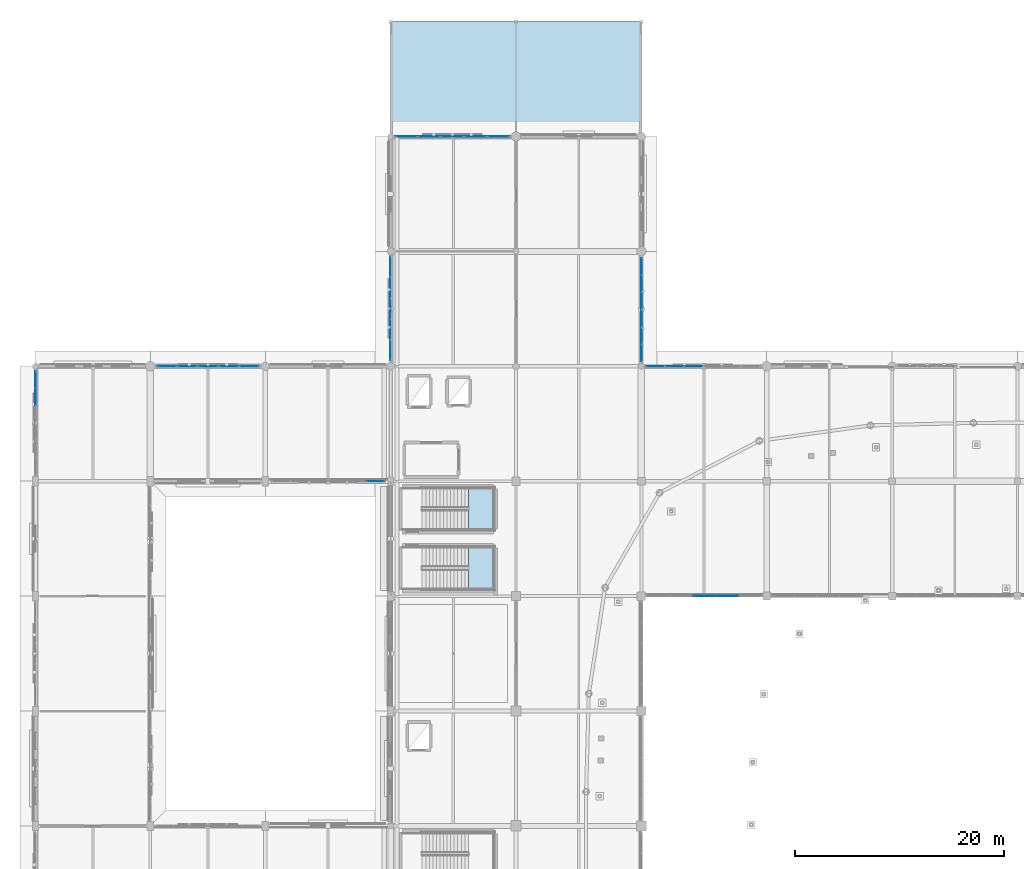
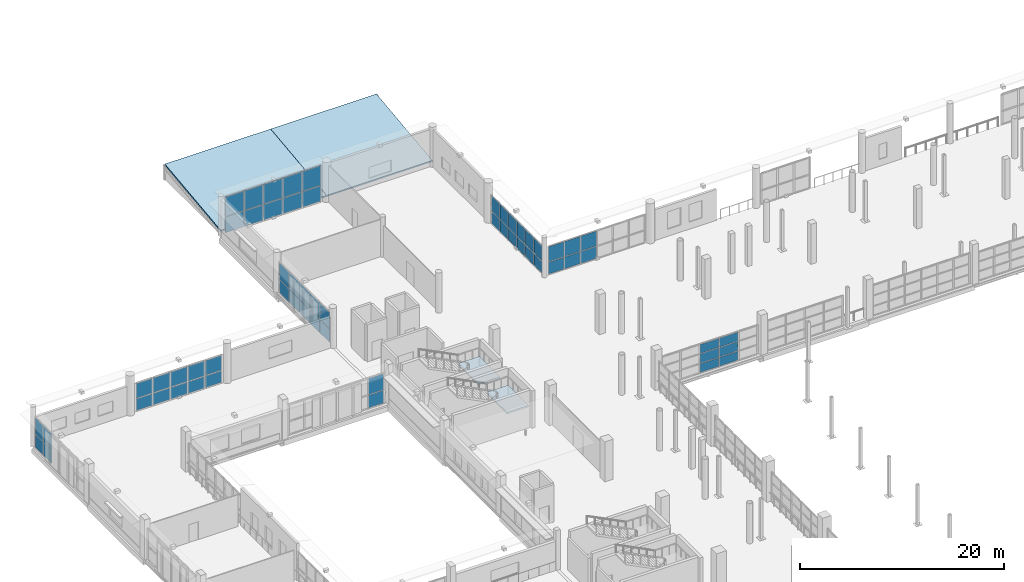
# One storey, part 78 of 143: 60 plates, 4 slabs, 10 elements without a shape of their own.
"""IFC4 building model written with IfcOpenShell, lengths in metres."""

from ifc_helpers import new_model, si_unit, direction, frame, origin, origin_2d, place, context, subcontext, project, spatial, polyline, rectangle, outline, extrude, material, layer, layer_set, type_object, element, aggregate, save


model = new_model("IFC4")

# Units and contexts
model_context = context("Model", 3, precision=1e-05, world=origin(), true_north=direction((0.0, 1.0)))
body_context = subcontext(model_context, "Body", "Model", "MODEL_VIEW")
ifc_project = project(units=[si_unit("LENGTHUNIT", "METRE"), si_unit("AREAUNIT", "SQUARE_METRE"), si_unit("VOLUMEUNIT", "CUBIC_METRE"), si_unit("PLANEANGLEUNIT", "RADIAN"), si_unit("MASSUNIT", "GRAM", prefix="KILO")], contexts=[model_context])

# Site, building, storey
site_placement = place(None, origin())
site = spatial("IfcSite", under=ifc_project, at=site_placement, CompositionType="ELEMENT")
building_placement = place(site_placement, origin())
building = spatial("IfcBuilding", under=site, at=building_placement, Name="Luwafu Chhajja Arena", CompositionType="ELEMENT")
storey_placement = place(building_placement, frame((0.0, 0.0, 5.39990234375)))
storey = spatial("IfcBuildingStorey", under=building, at=storey_placement, Name="L01", CompositionType="ELEMENT", Elevation=5.39990234375)

# Curtain wall, plates
ifc_material_1 = material(Name="Anodised bronze aluminium", Category="aluminium")
curtain_wall_type_1 = type_object("IfcCurtainWallType", Name="VIP Club Terrace Curtain Wall", PredefinedType="USERDEFINED", material=ifc_material_1)
curtain_wall_1_placement = place(storey_placement, origin())
curtain_wall_1 = element("IfcCurtainWall", 1, at=curtain_wall_1_placement, inside=storey, type_object=curtain_wall_type_1, Name="L01 Curtain Wall CWG-L01-V03_09", ObjectType="CURTAIN WALL", PredefinedType="USERDEFINED")
ifc_material_2 = material(Name="Solar-control laminated glass", Category="glass")
ifc_layer_1 = layer(ifc_material_2, 0.035888671875, Name="Solar-control laminated glass")
ifc_layer_set_1 = layer_set([ifc_layer_1], Name="Solar-control laminated glass")
plate_type_1 = type_object("IfcPlateType", Name="Acoustic Broadcast Double Glazed CW Panel 36", PredefinedType="CURTAIN_PANEL", material=ifc_layer_set_1)
plate_1_placement = place(storey_placement, frame((34.0, 100.533203125, 0.09521484375), z_axis=(0.0, 0.0, 1.0), x_axis=(0.0, 1.0, 0.0)))
plate_1 = element("IfcPlate", 2, at=plate_1_placement, type_object=plate_type_1, Name="CW-10 panel 1.1", PredefinedType="CURTAIN_PANEL", context=body_context, shape_type="SweptSolid", body=[
    extrude(rectangle(XDim=1.906494140625, YDim=0.035888671875, at=origin_2d()), origin(), (0.0, 0.0, 1.0), 1.56884765625),
])
plate_2_placement = place(storey_placement, frame((34.0, 100.533203125, 1.72900390625), z_axis=(0.0, 0.0, 1.0), x_axis=(0.0, 1.0, 0.0)))
plate_2 = element("IfcPlate", 3, at=plate_2_placement, type_object=plate_type_1, Name="CW-10 panel 1.2", PredefinedType="CURTAIN_PANEL", context=body_context, shape_type="SweptSolid", body=[
    extrude(rectangle(XDim=1.906494140625, YDim=0.035888671875, at=origin_2d()), origin(), (0.0, 0.0, 1.0), 1.975830078125),
])
plate_3_placement = place(storey_placement, frame((34.0, 102.52099609375, 0.09521484375), z_axis=(0.0, 0.0, 1.0), x_axis=(0.0, 1.0, 0.0)))
plate_3 = element("IfcPlate", 4, at=plate_3_placement, type_object=plate_type_1, Name="CW-10 panel 2.1", PredefinedType="CURTAIN_PANEL", context=body_context, shape_type="SweptSolid", body=[
    extrude(rectangle(XDim=1.93896484375, YDim=0.035888671875, at=origin_2d()), origin(), (0.0, 0.0, 1.0), 1.56884765625),
])
plate_4_placement = place(storey_placement, frame((34.0, 102.52099609375, 1.72900390625), z_axis=(0.0, 0.0, 1.0), x_axis=(0.0, 1.0, 0.0)))
plate_4 = element("IfcPlate", 5, at=plate_4_placement, type_object=plate_type_1, Name="CW-10 panel 2.2", PredefinedType="CURTAIN_PANEL", context=body_context, shape_type="SweptSolid", body=[
    extrude(rectangle(XDim=1.93896484375, YDim=0.035888671875, at=origin_2d()), origin(), (0.0, 0.0, 1.0), 1.975830078125),
])
plate_5_placement = place(storey_placement, frame((34.0, 104.52490234375, 0.09521484375), z_axis=(0.0, 0.0, 1.0), x_axis=(0.0, 1.0, 0.0)))
plate_5 = element("IfcPlate", 6, at=plate_5_placement, type_object=plate_type_1, Name="CW-10 panel 3.1", PredefinedType="CURTAIN_PANEL", context=body_context, shape_type="SweptSolid", body=[
    extrude(rectangle(XDim=1.93896484375, YDim=0.035888671875, at=origin_2d()), origin(), (0.0, 0.0, 1.0), 1.56884765625),
])
plate_6_placement = place(storey_placement, frame((34.0, 104.52490234375, 1.72900390625), z_axis=(0.0, 0.0, 1.0), x_axis=(0.0, 1.0, 0.0)))
plate_6 = element("IfcPlate", 7, at=plate_6_placement, type_object=plate_type_1, Name="CW-10 panel 3.2", PredefinedType="CURTAIN_PANEL", context=body_context, shape_type="SweptSolid", body=[
    extrude(rectangle(XDim=1.93896484375, YDim=0.035888671875, at=origin_2d()), origin(), (0.0, 0.0, 1.0), 1.975830078125),
])
plate_7_placement = place(storey_placement, frame((34.0, 106.529052734375, 0.09521484375), z_axis=(0.0, 0.0, 1.0), x_axis=(0.0, 1.0, 0.0)))
plate_7 = element("IfcPlate", 8, at=plate_7_placement, type_object=plate_type_1, Name="CW-10 panel 4.1", PredefinedType="CURTAIN_PANEL", context=body_context, shape_type="SweptSolid", body=[
    extrude(rectangle(XDim=1.93896484375, YDim=0.035888671875, at=origin_2d()), origin(), (0.0, 0.0, 1.0), 1.56884765625),
])
plate_8_placement = place(storey_placement, frame((34.0, 106.529052734375, 1.72900390625), z_axis=(0.0, 0.0, 1.0), x_axis=(0.0, 1.0, 0.0)))
plate_8 = element("IfcPlate", 9, at=plate_8_placement, type_object=plate_type_1, Name="CW-10 panel 4.2", PredefinedType="CURTAIN_PANEL", context=body_context, shape_type="SweptSolid", body=[
    extrude(rectangle(XDim=1.93896484375, YDim=0.035888671875, at=origin_2d()), origin(), (0.0, 0.0, 1.0), 1.975830078125),
])
plate_9_placement = place(storey_placement, frame((34.0, 108.516845703125, 0.09521484375), z_axis=(0.0, 0.0, 1.0), x_axis=(0.0, 1.0, 0.0)))
plate_9 = element("IfcPlate", 10, at=plate_9_placement, type_object=plate_type_1, Name="CW-10 panel 5.1", PredefinedType="CURTAIN_PANEL", context=body_context, shape_type="SweptSolid", body=[
    extrude(rectangle(XDim=1.906494140625, YDim=0.035888671875, at=origin_2d()), origin(), (0.0, 0.0, 1.0), 1.56884765625),
])
plate_10_placement = place(storey_placement, frame((34.0, 108.516845703125, 1.72900390625), z_axis=(0.0, 0.0, 1.0), x_axis=(0.0, 1.0, 0.0)))
plate_10 = element("IfcPlate", 11, at=plate_10_placement, type_object=plate_type_1, Name="CW-10 panel 5.2", PredefinedType="CURTAIN_PANEL", context=body_context, shape_type="SweptSolid", body=[
    extrude(rectangle(XDim=1.906494140625, YDim=0.035888671875, at=origin_2d()), origin(), (0.0, 0.0, 1.0), 1.975830078125),
])
aggregate(curtain_wall_1, [plate_1, plate_2, plate_3, plate_4, plate_5, plate_6, plate_7, plate_8, plate_9, plate_10])

# Slabs
ifc_material_3 = material(Name="Precast concrete C40/50", Category="concrete")
ifc_layer_2 = layer(ifc_material_3, 0.169921875, Name="Precast concrete C40/50")
ifc_layer_set_2 = layer_set([ifc_layer_2], Name="Precast concrete C40/50")
slab_type_1 = type_object("IfcSlabType", Name="Colonnade Sloped Chhajja Roof Slab 170", PredefinedType="ROOF", material=ifc_layer_set_2)
for number, where, z_axis, x_axis, name in (
    (12, (34.0, 121.0, 0.550048828125), (0.0, -0.11736939237, 0.993088327257), (0.0, 0.993088327257, 0.11736939237), "L01 North Cloister Sloped Chhajja Roof 3"),
    (13, (46.0, 121.0, 0.550048828125), (0.0, -0.11736939237, 0.993088327257), (0.0, 0.993088327257, 0.11736939237), "L01 North Cloister Sloped Chhajja Roof 4"),
):
    element("IfcSlab", number, at=place(storey_placement, frame(where, z_axis=z_axis, x_axis=x_axis)), inside=storey, type_object=slab_type_1, Name=name, PredefinedType="ROOF", context=body_context, shape_type="SweptSolid", body=[
        extrude(outline(polyline([(0.0, 0.0), (11.076557540838634, 0.0), (11.076557540838634, -12.0), (0.0, -12.0), (0.0, 0.0)])), origin(), (0.0, 0.0, -1.0), 0.169921875),
    ])

# Stair, slab
ifc_material_4 = material(Name="Concrete C35/45", Category="concrete")
stair_type = type_object("IfcStairType", Name="Quadrant Protected Dog-Leg Stair 1920", PredefinedType="HALF_TURN_STAIR", material=ifc_material_4)
stair_1_placement = place(storey_placement, origin())
stair_1 = element("IfcStair", 14, at=stair_1_placement, inside=storey, type_object=stair_type, Name="L01 Protected Escape Stair ST-05", PredefinedType="HALF_TURN_STAIR")
ifc_layer_3 = layer(ifc_material_4, 0.199951171875, Name="Concrete C35/45")
ifc_layer_set_3 = layer_set([ifc_layer_3], Name="Concrete C35/45")
slab_type_2 = type_object("IfcSlabType", Name="Escape Stair Landing Slab 200", PredefinedType="LANDING", material=ifc_layer_set_3)
slab_1_placement = place(storey_placement, frame((0.0, 0.0, 2.2001953125)))
slab_1 = element("IfcSlab", 15, at=slab_1_placement, type_object=slab_type_2, Name="ST-05 landing 1", PredefinedType="LANDING", context=body_context, shape_type="SweptSolid", body=[
    extrude(outline(polyline([(41.43994140625, 77.64990234375), (43.89990234375, 77.64990234375), (43.89990234375, 81.68994140625), (41.43994140625, 81.68994140625), (41.43994140625, 77.64990234375)])), origin(), (0.0, 0.0, 1.0), 0.199951171875),
])
aggregate(stair_1, [slab_1])

stair_2_placement = place(storey_placement, origin())
stair_2 = element("IfcStair", 16, at=stair_2_placement, inside=storey, type_object=stair_type, Name="L01 Protected Escape Stair ST-06", PredefinedType="HALF_TURN_STAIR")
slab_2_placement = place(storey_placement, frame((0.0, 0.0, 2.2001953125)))
slab_2 = element("IfcSlab", 17, at=slab_2_placement, type_object=slab_type_2, Name="ST-06 landing 1", PredefinedType="LANDING", context=body_context, shape_type="SweptSolid", body=[
    extrude(outline(polyline([(41.43994140625, 83.31005859375), (43.89990234375, 83.31005859375), (43.89990234375, 87.35009765625), (41.43994140625, 87.35009765625), (41.43994140625, 83.31005859375)])), origin(), (0.0, 0.0, 1.0), 0.199951171875),
])
aggregate(stair_2, [slab_2])

# Curtain wall, plates
curtain_wall_type_2 = type_object("IfcCurtainWallType", Name="Pishtaq Monumental Portal Curtain Wall", PredefinedType="USERDEFINED", material=ifc_material_1)
curtain_wall_2_placement = place(storey_placement, origin())
curtain_wall_2 = element("IfcCurtainWall", 18, at=curtain_wall_2_placement, inside=storey, type_object=curtain_wall_type_2, Name="L01 Curtain Wall CWG-L01-H01_09", ObjectType="CURTAIN WALL", PredefinedType="USERDEFINED")
ifc_layer_4 = layer(ifc_material_2, 0.0419921875, Name="Solar-control laminated glass")
ifc_layer_set_4 = layer_set([ifc_layer_4], Name="Solar-control laminated glass")
plate_type_2 = type_object("IfcPlateType", Name="Pishtaq Tall Laminated Glazed Panel 42", PredefinedType="CURTAIN_PANEL", material=ifc_layer_set_4)
plate_11_placement = place(storey_placement, frame((12.596923828125, 99.0, 0.110107421875), z_axis=(0.0, 0.0, 1.0), x_axis=(1.0, 0.0, 0.0)))
plate_11 = element("IfcPlate", 19, at=plate_11_placement, type_object=plate_type_2, Name="CW-04 panel 1.1", PredefinedType="CURTAIN_PANEL", context=body_context, shape_type="SweptSolid", body=[
    extrude(rectangle(XDim=1.85400390625, YDim=0.0419921875, at=origin_2d()), origin(), (0.0, 0.0, 1.0), 1.39794921875),
])
plate_12_placement = place(storey_placement, frame((12.596923828125, 99.0, 1.588134765625), z_axis=(0.0, 0.0, 1.0), x_axis=(1.0, 0.0, 0.0)))
plate_12 = element("IfcPlate", 20, at=plate_12_placement, type_object=plate_type_2, Name="CW-04 panel 1.2", PredefinedType="CURTAIN_PANEL", context=body_context, shape_type="SweptSolid", body=[
    extrude(rectangle(XDim=1.85400390625, YDim=0.0419921875, at=origin_2d()), origin(), (0.0, 0.0, 1.0), 1.77197265625),
])
plate_13_placement = place(storey_placement, frame((14.551025390625, 99.0, 0.110107421875), z_axis=(0.0, 0.0, 1.0), x_axis=(1.0, 0.0, 0.0)))
plate_13 = element("IfcPlate", 21, at=plate_13_placement, type_object=plate_type_2, Name="CW-04 panel 2.1", PredefinedType="CURTAIN_PANEL", context=body_context, shape_type="SweptSolid", body=[
    extrude(rectangle(XDim=1.89404296875, YDim=0.0419921875, at=origin_2d()), origin(), (0.0, 0.0, 1.0), 1.39794921875),
])
plate_14_placement = place(storey_placement, frame((14.551025390625, 99.0, 1.588134765625), z_axis=(0.0, 0.0, 1.0), x_axis=(1.0, 0.0, 0.0)))
plate_14 = element("IfcPlate", 22, at=plate_14_placement, type_object=plate_type_2, Name="CW-04 panel 2.2", PredefinedType="CURTAIN_PANEL", context=body_context, shape_type="SweptSolid", body=[
    extrude(rectangle(XDim=1.89404296875, YDim=0.0419921875, at=origin_2d()), origin(), (0.0, 0.0, 1.0), 1.77197265625),
])
plate_15_placement = place(storey_placement, frame((16.52490234375, 99.0, 0.110107421875), z_axis=(0.0, 0.0, 1.0), x_axis=(1.0, 0.0, 0.0)))
plate_15 = element("IfcPlate", 23, at=plate_15_placement, type_object=plate_type_2, Name="CW-04 panel 3.1", PredefinedType="CURTAIN_PANEL", context=body_context, shape_type="SweptSolid", body=[
    extrude(rectangle(XDim=1.89404296875, YDim=0.0419921875, at=origin_2d()), origin(), (0.0, 0.0, 1.0), 1.39794921875),
])
plate_16_placement = place(storey_placement, frame((16.52490234375, 99.0, 1.588134765625), z_axis=(0.0, 0.0, 1.0), x_axis=(1.0, 0.0, 0.0)))
plate_16 = element("IfcPlate", 24, at=plate_16_placement, type_object=plate_type_2, Name="CW-04 panel 3.2", PredefinedType="CURTAIN_PANEL", context=body_context, shape_type="SweptSolid", body=[
    extrude(rectangle(XDim=1.89404296875, YDim=0.0419921875, at=origin_2d()), origin(), (0.0, 0.0, 1.0), 1.77197265625),
])
plate_17_placement = place(storey_placement, frame((18.4990234375, 99.0, 0.110107421875), z_axis=(0.0, 0.0, 1.0), x_axis=(1.0, 0.0, 0.0)))
plate_17 = element("IfcPlate", 25, at=plate_17_placement, type_object=plate_type_2, Name="CW-04 panel 4.1", PredefinedType="CURTAIN_PANEL", context=body_context, shape_type="SweptSolid", body=[
    extrude(rectangle(XDim=1.89404296875, YDim=0.0419921875, at=origin_2d()), origin(), (0.0, 0.0, 1.0), 1.39794921875),
])
plate_18_placement = place(storey_placement, frame((18.4990234375, 99.0, 1.588134765625), z_axis=(0.0, 0.0, 1.0), x_axis=(1.0, 0.0, 0.0)))
plate_18 = element("IfcPlate", 26, at=plate_18_placement, type_object=plate_type_2, Name="CW-04 panel 4.2", PredefinedType="CURTAIN_PANEL", context=body_context, shape_type="SweptSolid", body=[
    extrude(rectangle(XDim=1.89404296875, YDim=0.0419921875, at=origin_2d()), origin(), (0.0, 0.0, 1.0), 1.77197265625),
])
plate_19_placement = place(storey_placement, frame((20.452880859375, 99.0, 0.110107421875), z_axis=(0.0, 0.0, 1.0), x_axis=(1.0, 0.0, 0.0)))
plate_19 = element("IfcPlate", 27, at=plate_19_placement, type_object=plate_type_2, Name="CW-04 panel 5.1", PredefinedType="CURTAIN_PANEL", context=body_context, shape_type="SweptSolid", body=[
    extrude(rectangle(XDim=1.85400390625, YDim=0.0419921875, at=origin_2d()), origin(), (0.0, 0.0, 1.0), 1.39794921875),
])
plate_20_placement = place(storey_placement, frame((20.452880859375, 99.0, 1.588134765625), z_axis=(0.0, 0.0, 1.0), x_axis=(1.0, 0.0, 0.0)))
plate_20 = element("IfcPlate", 28, at=plate_20_placement, type_object=plate_type_2, Name="CW-04 panel 5.2", PredefinedType="CURTAIN_PANEL", context=body_context, shape_type="SweptSolid", body=[
    extrude(rectangle(XDim=1.85400390625, YDim=0.0419921875, at=origin_2d()), origin(), (0.0, 0.0, 1.0), 1.77197265625),
])
aggregate(curtain_wall_2, [plate_11, plate_12, plate_13, plate_14, plate_15, plate_16, plate_17, plate_18, plate_19, plate_20])

curtain_wall_3_placement = place(storey_placement, origin())
curtain_wall_3 = element("IfcCurtainWall", 29, at=curtain_wall_3_placement, inside=storey, type_object=curtain_wall_type_2, Name="L01 Curtain Wall CWG-L01-H03_11", ObjectType="CURTAIN WALL", PredefinedType="USERDEFINED")
plate_21_placement = place(storey_placement, frame((35.534423828125, 121.0, 0.110107421875), z_axis=(0.0, 0.0, 1.0), x_axis=(1.0, 0.0, 0.0)))
plate_21 = element("IfcPlate", 30, at=plate_21_placement, type_object=plate_type_2, Name="CW-04 panel 1.1", PredefinedType="CURTAIN_PANEL", context=body_context, shape_type="SweptSolid", body=[
    extrude(rectangle(XDim=2.0791015625, YDim=0.0419921875, at=origin_2d()), origin(), (0.0, 0.0, 1.0), 1.859375),
])
plate_22_placement = place(storey_placement, frame((35.534423828125, 121.0, 2.04931640625), z_axis=(0.0, 0.0, 1.0), x_axis=(1.0, 0.0, 0.0)))
plate_22 = element("IfcPlate", 31, at=plate_22_placement, type_object=plate_type_2, Name="CW-04 panel 1.2", PredefinedType="CURTAIN_PANEL", context=body_context, shape_type="SweptSolid", body=[
    extrude(rectangle(XDim=2.0791015625, YDim=0.0419921875, at=origin_2d()), origin(), (0.0, 0.0, 1.0), 2.335693359375),
])
plate_23_placement = place(storey_placement, frame((37.71337890625, 121.0, 0.110107421875), z_axis=(0.0, 0.0, 1.0), x_axis=(1.0, 0.0, 0.0)))
plate_23 = element("IfcPlate", 32, at=plate_23_placement, type_object=plate_type_2, Name="CW-04 panel 2.1", PredefinedType="CURTAIN_PANEL", context=body_context, shape_type="SweptSolid", body=[
    extrude(rectangle(XDim=2.118896484375, YDim=0.0419921875, at=origin_2d()), origin(), (0.0, 0.0, 1.0), 1.859375),
])
plate_24_placement = place(storey_placement, frame((37.71337890625, 121.0, 2.04931640625), z_axis=(0.0, 0.0, 1.0), x_axis=(1.0, 0.0, 0.0)))
plate_24 = element("IfcPlate", 33, at=plate_24_placement, type_object=plate_type_2, Name="CW-04 panel 2.2", PredefinedType="CURTAIN_PANEL", context=body_context, shape_type="SweptSolid", body=[
    extrude(rectangle(XDim=2.118896484375, YDim=0.0419921875, at=origin_2d()), origin(), (0.0, 0.0, 1.0), 2.335693359375),
])
plate_25_placement = place(storey_placement, frame((39.91259765625, 121.0, 0.110107421875), z_axis=(0.0, 0.0, 1.0), x_axis=(1.0, 0.0, 0.0)))
plate_25 = element("IfcPlate", 34, at=plate_25_placement, type_object=plate_type_2, Name="CW-04 panel 3.1", PredefinedType="CURTAIN_PANEL", context=body_context, shape_type="SweptSolid", body=[
    extrude(rectangle(XDim=2.118896484375, YDim=0.0419921875, at=origin_2d()), origin(), (0.0, 0.0, 1.0), 1.859375),
])
plate_26_placement = place(storey_placement, frame((39.91259765625, 121.0, 2.04931640625), z_axis=(0.0, 0.0, 1.0), x_axis=(1.0, 0.0, 0.0)))
plate_26 = element("IfcPlate", 35, at=plate_26_placement, type_object=plate_type_2, Name="CW-04 panel 3.2", PredefinedType="CURTAIN_PANEL", context=body_context, shape_type="SweptSolid", body=[
    extrude(rectangle(XDim=2.118896484375, YDim=0.0419921875, at=origin_2d()), origin(), (0.0, 0.0, 1.0), 2.335693359375),
])
plate_27_placement = place(storey_placement, frame((42.111572265625, 121.0, 0.110107421875), z_axis=(0.0, 0.0, 1.0), x_axis=(1.0, 0.0, 0.0)))
plate_27 = element("IfcPlate", 36, at=plate_27_placement, type_object=plate_type_2, Name="CW-04 panel 4.1", PredefinedType="CURTAIN_PANEL", context=body_context, shape_type="SweptSolid", body=[
    extrude(rectangle(XDim=2.118896484375, YDim=0.0419921875, at=origin_2d()), origin(), (0.0, 0.0, 1.0), 1.859375),
])
plate_28_placement = place(storey_placement, frame((42.111572265625, 121.0, 2.04931640625), z_axis=(0.0, 0.0, 1.0), x_axis=(1.0, 0.0, 0.0)))
plate_28 = element("IfcPlate", 37, at=plate_28_placement, type_object=plate_type_2, Name="CW-04 panel 4.2", PredefinedType="CURTAIN_PANEL", context=body_context, shape_type="SweptSolid", body=[
    extrude(rectangle(XDim=2.118896484375, YDim=0.0419921875, at=origin_2d()), origin(), (0.0, 0.0, 1.0), 2.335693359375),
])
plate_29_placement = place(storey_placement, frame((44.29052734375, 121.0, 0.110107421875), z_axis=(0.0, 0.0, 1.0), x_axis=(1.0, 0.0, 0.0)))
plate_29 = element("IfcPlate", 38, at=plate_29_placement, type_object=plate_type_2, Name="CW-04 panel 5.1", PredefinedType="CURTAIN_PANEL", context=body_context, shape_type="SweptSolid", body=[
    extrude(rectangle(XDim=2.0791015625, YDim=0.0419921875, at=origin_2d()), origin(), (0.0, 0.0, 1.0), 1.859375),
])
plate_30_placement = place(storey_placement, frame((44.29052734375, 121.0, 2.04931640625), z_axis=(0.0, 0.0, 1.0), x_axis=(1.0, 0.0, 0.0)))
plate_30 = element("IfcPlate", 39, at=plate_30_placement, type_object=plate_type_2, Name="CW-04 panel 5.2", PredefinedType="CURTAIN_PANEL", context=body_context, shape_type="SweptSolid", body=[
    extrude(rectangle(XDim=2.0791015625, YDim=0.0419921875, at=origin_2d()), origin(), (0.0, 0.0, 1.0), 2.335693359375),
])
aggregate(curtain_wall_3, [plate_21, plate_22, plate_23, plate_24, plate_25, plate_26, plate_27, plate_28, plate_29, plate_30])

curtain_wall_type_3 = type_object("IfcCurtainWallType", Name="Community Hall Street Curtain Wall", PredefinedType="USERDEFINED", material=ifc_material_1)
curtain_wall_4_placement = place(storey_placement, origin())
curtain_wall_4 = element("IfcCurtainWall", 40, at=curtain_wall_4_placement, inside=storey, type_object=curtain_wall_type_3, Name="L01 Curtain Wall CWG-L01-V00_08", ObjectType="CURTAIN WALL", PredefinedType="USERDEFINED")
ifc_layer_5 = layer(ifc_material_2, 0.028076171875, Name="Solar-control laminated glass")
ifc_layer_set_5 = layer_set([ifc_layer_5], Name="Solar-control laminated glass")
plate_type_3 = type_object("IfcPlateType", Name="Solar Control Double Glazed CW Panel 28", PredefinedType="CURTAIN_PANEL", material=ifc_layer_set_5)
plate_31_placement = place(storey_placement, frame((0.0, 96.086181640625, 0.090087890625), z_axis=(0.0, 0.0, 1.0), x_axis=(0.0, 1.0, 0.0)))
plate_31 = element("IfcPlate", 41, at=plate_31_placement, type_object=plate_type_3, Name="CW-09 panel 5.1", PredefinedType="CURTAIN_PANEL", context=body_context, shape_type="SweptSolid", body=[
    extrude(rectangle(XDim=1.605712890625, YDim=0.028076171875, at=origin_2d()), origin(), (0.0, 0.0, 1.0), 1.5478515625),
])
plate_32_placement = place(storey_placement, frame((0.0, 96.086181640625, 1.6982421875), z_axis=(0.0, 0.0, 1.0), x_axis=(0.0, 1.0, 0.0)))
plate_32 = element("IfcPlate", 42, at=plate_32_placement, type_object=plate_type_3, Name="CW-09 panel 5.2", PredefinedType="CURTAIN_PANEL", context=body_context, shape_type="SweptSolid", body=[
    extrude(rectangle(XDim=1.605712890625, YDim=0.028076171875, at=origin_2d()), origin(), (0.0, 0.0, 1.0), 1.948486328125),
])
plate_33_placement = place(storey_placement, frame((0.0, 97.737060546875, 0.090087890625), z_axis=(0.0, 0.0, 1.0), x_axis=(0.0, 1.0, 0.0)))
plate_33 = element("IfcPlate", 43, at=plate_33_placement, type_object=plate_type_3, Name="CW-09 panel 6.1", PredefinedType="CURTAIN_PANEL", context=body_context, shape_type="SweptSolid", body=[
    extrude(rectangle(XDim=1.575927734375, YDim=0.028076171875, at=origin_2d()), origin(), (0.0, 0.0, 1.0), 1.5478515625),
])
plate_34_placement = place(storey_placement, frame((0.0, 97.737060546875, 1.6982421875), z_axis=(0.0, 0.0, 1.0), x_axis=(0.0, 1.0, 0.0)))
plate_34 = element("IfcPlate", 44, at=plate_34_placement, type_object=plate_type_3, Name="CW-09 panel 6.2", PredefinedType="CURTAIN_PANEL", context=body_context, shape_type="SweptSolid", body=[
    extrude(rectangle(XDim=1.575927734375, YDim=0.028076171875, at=origin_2d()), origin(), (0.0, 0.0, 1.0), 1.948486328125),
])
aggregate(curtain_wall_4, [plate_31, plate_32, plate_33, plate_34])

curtain_wall_type_4 = type_object("IfcCurtainWallType", Name="Foyer Luwafu Street Curtain Wall", PredefinedType="USERDEFINED", material=ifc_material_1)
curtain_wall_5_placement = place(storey_placement, origin())
curtain_wall_5 = element("IfcCurtainWall", 45, at=curtain_wall_5_placement, inside=storey, type_object=curtain_wall_type_4, Name="L01 Curtain Wall CWG-L01-H02_08", ObjectType="CURTAIN WALL", PredefinedType="USERDEFINED")
plate_35_placement = place(storey_placement, frame((32.537841796875, 88.0, 0.09521484375), z_axis=(0.0, 0.0, 1.0), x_axis=(1.0, 0.0, 0.0)))
plate_35 = element("IfcPlate", 46, at=plate_35_placement, type_object=plate_type_3, Name="CW-05 panel 6.1", PredefinedType="CURTAIN_PANEL", context=body_context, shape_type="SweptSolid", body=[
    extrude(rectangle(XDim=1.714111328125, YDim=0.028076171875, at=origin_2d()), origin(), (0.0, 0.0, 1.0), 1.532958984375),
])
plate_36_placement = place(storey_placement, frame((32.537841796875, 88.0, 1.693359375), z_axis=(0.0, 0.0, 1.0), x_axis=(1.0, 0.0, 0.0)))
plate_36 = element("IfcPlate", 47, at=plate_36_placement, type_object=plate_type_3, Name="CW-05 panel 6.2", PredefinedType="CURTAIN_PANEL", context=body_context, shape_type="SweptSolid", body=[
    extrude(rectangle(XDim=1.714111328125, YDim=0.028076171875, at=origin_2d()), origin(), (0.0, 0.0, 1.0), 1.931884765625),
])
aggregate(curtain_wall_5, [plate_35, plate_36])

curtain_wall_type_5 = type_object("IfcCurtainWallType", Name="Charbagh Cloister Curtain Wall", PredefinedType="USERDEFINED", material=ifc_material_1)
curtain_wall_6_placement = place(storey_placement, origin())
curtain_wall_6 = element("IfcCurtainWall", 48, at=curtain_wall_6_placement, inside=storey, type_object=curtain_wall_type_5, Name="L01 Curtain Wall CWG-L01-V05_09", ObjectType="CURTAIN WALL", PredefinedType="USERDEFINED")
plate_37_placement = place(storey_placement, frame((58.0, 100.262939453125, 0.09033203125), z_axis=(0.0, 0.0, 1.0), x_axis=(0.0, 1.0, 0.0)))
plate_37 = element("IfcPlate", 49, at=plate_37_placement, type_object=plate_type_3, Name="CW-06 panel 1.1", PredefinedType="CURTAIN_PANEL", context=body_context, shape_type="SweptSolid", body=[
    extrude(rectangle(XDim=1.575927734375, YDim=0.028076171875, at=origin_2d()), origin(), (0.0, 0.0, 1.0), 1.427978515625),
])
plate_38_placement = place(storey_placement, frame((58.0, 100.262939453125, 1.578125), z_axis=(0.0, 0.0, 1.0), x_axis=(0.0, 1.0, 0.0)))
plate_38 = element("IfcPlate", 50, at=plate_38_placement, type_object=plate_type_3, Name="CW-06 panel 1.2", PredefinedType="CURTAIN_PANEL", context=body_context, shape_type="SweptSolid", body=[
    extrude(rectangle(XDim=1.575927734375, YDim=0.028076171875, at=origin_2d()), origin(), (0.0, 0.0, 1.0), 1.802001953125),
])
plate_39_placement = place(storey_placement, frame((58.0, 101.913818359375, 0.09033203125), z_axis=(0.0, 0.0, 1.0), x_axis=(0.0, 1.0, 0.0)))
plate_39 = element("IfcPlate", 51, at=plate_39_placement, type_object=plate_type_3, Name="CW-06 panel 2.1", PredefinedType="CURTAIN_PANEL", context=body_context, shape_type="SweptSolid", body=[
    extrude(rectangle(XDim=1.605712890625, YDim=0.028076171875, at=origin_2d()), origin(), (0.0, 0.0, 1.0), 1.427978515625),
])
plate_40_placement = place(storey_placement, frame((58.0, 101.913818359375, 1.578125), z_axis=(0.0, 0.0, 1.0), x_axis=(0.0, 1.0, 0.0)))
plate_40 = element("IfcPlate", 52, at=plate_40_placement, type_object=plate_type_3, Name="CW-06 panel 2.2", PredefinedType="CURTAIN_PANEL", context=body_context, shape_type="SweptSolid", body=[
    extrude(rectangle(XDim=1.605712890625, YDim=0.028076171875, at=origin_2d()), origin(), (0.0, 0.0, 1.0), 1.802001953125),
])
plate_41_placement = place(storey_placement, frame((58.0, 103.57958984375, 0.09033203125), z_axis=(0.0, 0.0, 1.0), x_axis=(0.0, 1.0, 0.0)))
plate_41 = element("IfcPlate", 53, at=plate_41_placement, type_object=plate_type_3, Name="CW-06 panel 3.1", PredefinedType="CURTAIN_PANEL", context=body_context, shape_type="SweptSolid", body=[
    extrude(rectangle(XDim=1.605712890625, YDim=0.028076171875, at=origin_2d()), origin(), (0.0, 0.0, 1.0), 1.427978515625),
])
plate_42_placement = place(storey_placement, frame((58.0, 103.57958984375, 1.578125), z_axis=(0.0, 0.0, 1.0), x_axis=(0.0, 1.0, 0.0)))
plate_42 = element("IfcPlate", 54, at=plate_42_placement, type_object=plate_type_3, Name="CW-06 panel 3.2", PredefinedType="CURTAIN_PANEL", context=body_context, shape_type="SweptSolid", body=[
    extrude(rectangle(XDim=1.605712890625, YDim=0.028076171875, at=origin_2d()), origin(), (0.0, 0.0, 1.0), 1.802001953125),
])
plate_43_placement = place(storey_placement, frame((58.0, 105.245361328125, 0.09033203125), z_axis=(0.0, 0.0, 1.0), x_axis=(0.0, 1.0, 0.0)))
plate_43 = element("IfcPlate", 55, at=plate_43_placement, type_object=plate_type_3, Name="CW-06 panel 4.1", PredefinedType="CURTAIN_PANEL", context=body_context, shape_type="SweptSolid", body=[
    extrude(rectangle(XDim=1.605712890625, YDim=0.028076171875, at=origin_2d()), origin(), (0.0, 0.0, 1.0), 1.427978515625),
])
plate_44_placement = place(storey_placement, frame((58.0, 105.245361328125, 1.578125), z_axis=(0.0, 0.0, 1.0), x_axis=(0.0, 1.0, 0.0)))
plate_44 = element("IfcPlate", 56, at=plate_44_placement, type_object=plate_type_3, Name="CW-06 panel 4.2", PredefinedType="CURTAIN_PANEL", context=body_context, shape_type="SweptSolid", body=[
    extrude(rectangle(XDim=1.605712890625, YDim=0.028076171875, at=origin_2d()), origin(), (0.0, 0.0, 1.0), 1.802001953125),
])
plate_45_placement = place(storey_placement, frame((58.0, 106.9111328125, 0.09033203125), z_axis=(0.0, 0.0, 1.0), x_axis=(0.0, 1.0, 0.0)))
plate_45 = element("IfcPlate", 57, at=plate_45_placement, type_object=plate_type_3, Name="CW-06 panel 5.1", PredefinedType="CURTAIN_PANEL", context=body_context, shape_type="SweptSolid", body=[
    extrude(rectangle(XDim=1.605712890625, YDim=0.028076171875, at=origin_2d()), origin(), (0.0, 0.0, 1.0), 1.427978515625),
])
plate_46_placement = place(storey_placement, frame((58.0, 106.9111328125, 1.578125), z_axis=(0.0, 0.0, 1.0), x_axis=(0.0, 1.0, 0.0)))
plate_46 = element("IfcPlate", 58, at=plate_46_placement, type_object=plate_type_3, Name="CW-06 panel 5.2", PredefinedType="CURTAIN_PANEL", context=body_context, shape_type="SweptSolid", body=[
    extrude(rectangle(XDim=1.605712890625, YDim=0.028076171875, at=origin_2d()), origin(), (0.0, 0.0, 1.0), 1.802001953125),
])
plate_47_placement = place(storey_placement, frame((58.0, 108.56201171875, 0.09033203125), z_axis=(0.0, 0.0, 1.0), x_axis=(0.0, 1.0, 0.0)))
plate_47 = element("IfcPlate", 59, at=plate_47_placement, type_object=plate_type_3, Name="CW-06 panel 6.1", PredefinedType="CURTAIN_PANEL", context=body_context, shape_type="SweptSolid", body=[
    extrude(rectangle(XDim=1.575927734375, YDim=0.028076171875, at=origin_2d()), origin(), (0.0, 0.0, 1.0), 1.427978515625),
])
plate_48_placement = place(storey_placement, frame((58.0, 108.56201171875, 1.578125), z_axis=(0.0, 0.0, 1.0), x_axis=(0.0, 1.0, 0.0)))
plate_48 = element("IfcPlate", 60, at=plate_48_placement, type_object=plate_type_3, Name="CW-06 panel 6.2", PredefinedType="CURTAIN_PANEL", context=body_context, shape_type="SweptSolid", body=[
    extrude(rectangle(XDim=1.575927734375, YDim=0.028076171875, at=origin_2d()), origin(), (0.0, 0.0, 1.0), 1.802001953125),
])
aggregate(curtain_wall_6, [plate_37, plate_38, plate_39, plate_40, plate_41, plate_42, plate_43, plate_44, plate_45, plate_46, plate_47, plate_48])

curtain_wall_7_placement = place(storey_placement, origin())
curtain_wall_7 = element("IfcCurtainWall", 61, at=curtain_wall_7_placement, inside=storey, type_object=curtain_wall_type_5, Name="L01 Curtain Wall CWG-L01-H05_09", ObjectType="CURTAIN WALL", PredefinedType="USERDEFINED")
plate_49_placement = place(storey_placement, frame((59.34619140625, 99.0, 0.09033203125), z_axis=(0.0, 0.0, 1.0), x_axis=(1.0, 0.0, 0.0)))
plate_49 = element("IfcPlate", 62, at=plate_49_placement, type_object=plate_type_3, Name="CW-06 panel 1.1", PredefinedType="CURTAIN_PANEL", context=body_context, shape_type="SweptSolid", body=[
    extrude(rectangle(XDim=1.742431640625, YDim=0.028076171875, at=origin_2d()), origin(), (0.0, 0.0, 1.0), 1.427978515625),
])
plate_50_placement = place(storey_placement, frame((59.34619140625, 99.0, 1.578125), z_axis=(0.0, 0.0, 1.0), x_axis=(1.0, 0.0, 0.0)))
plate_50 = element("IfcPlate", 63, at=plate_50_placement, type_object=plate_type_3, Name="CW-06 panel 1.2", PredefinedType="CURTAIN_PANEL", context=body_context, shape_type="SweptSolid", body=[
    extrude(rectangle(XDim=1.742431640625, YDim=0.028076171875, at=origin_2d()), origin(), (0.0, 0.0, 1.0), 1.802001953125),
])
plate_51_placement = place(storey_placement, frame((61.163818359375, 99.0, 0.09033203125), z_axis=(0.0, 0.0, 1.0), x_axis=(1.0, 0.0, 0.0)))
plate_51 = element("IfcPlate", 64, at=plate_51_placement, type_object=plate_type_3, Name="CW-06 panel 2.1", PredefinedType="CURTAIN_PANEL", context=body_context, shape_type="SweptSolid", body=[
    extrude(rectangle(XDim=1.7724609375, YDim=0.028076171875, at=origin_2d()), origin(), (0.0, 0.0, 1.0), 1.427978515625),
])
plate_52_placement = place(storey_placement, frame((61.163818359375, 99.0, 1.578125), z_axis=(0.0, 0.0, 1.0), x_axis=(1.0, 0.0, 0.0)))
plate_52 = element("IfcPlate", 65, at=plate_52_placement, type_object=plate_type_3, Name="CW-06 panel 2.2", PredefinedType="CURTAIN_PANEL", context=body_context, shape_type="SweptSolid", body=[
    extrude(rectangle(XDim=1.7724609375, YDim=0.028076171875, at=origin_2d()), origin(), (0.0, 0.0, 1.0), 1.802001953125),
])
plate_53_placement = place(storey_placement, frame((62.996337890625, 99.0, 0.09033203125), z_axis=(0.0, 0.0, 1.0), x_axis=(1.0, 0.0, 0.0)))
plate_53 = element("IfcPlate", 66, at=plate_53_placement, type_object=plate_type_3, Name="CW-06 panel 3.1", PredefinedType="CURTAIN_PANEL", context=body_context, shape_type="SweptSolid", body=[
    extrude(rectangle(XDim=1.7724609375, YDim=0.028076171875, at=origin_2d()), origin(), (0.0, 0.0, 1.0), 1.427978515625),
])
plate_54_placement = place(storey_placement, frame((62.996337890625, 99.0, 1.578125), z_axis=(0.0, 0.0, 1.0), x_axis=(1.0, 0.0, 0.0)))
plate_54 = element("IfcPlate", 67, at=plate_54_placement, type_object=plate_type_3, Name="CW-06 panel 3.2", PredefinedType="CURTAIN_PANEL", context=body_context, shape_type="SweptSolid", body=[
    extrude(rectangle(XDim=1.7724609375, YDim=0.028076171875, at=origin_2d()), origin(), (0.0, 0.0, 1.0), 1.802001953125),
])
aggregate(curtain_wall_7, [plate_49, plate_50, plate_51, plate_52, plate_53, plate_54])

curtain_wall_type_6 = type_object("IfcCurtainWallType", Name="Bowl Concourse Chord Curtain Wall", PredefinedType="USERDEFINED", material=ifc_material_1)
curtain_wall_8_placement = place(storey_placement, origin())
curtain_wall_8 = element("IfcCurtainWall", 68, at=curtain_wall_8_placement, inside=storey, type_object=curtain_wall_type_6, Name="L01 Bowl Viewing Curtain Wall CWR-L01-08", ObjectType="CURTAIN WALL", PredefinedType="USERDEFINED")
plate_55_placement = place(storey_placement, frame((64.012451171875, 77.0, 0.06005859375), z_axis=(0.0, 0.0, 1.0), x_axis=(1.0, 0.0, 0.0)))
plate_55 = element("IfcPlate", 69, at=plate_55_placement, type_object=plate_type_3, Name="CW-01 panel 3.1", PredefinedType="CURTAIN_PANEL", context=body_context, shape_type="SweptSolid", body=[
    extrude(rectangle(XDim=2.12890625, YDim=0.028076171875, at=origin_2d()), origin(), (0.0, 0.0, 1.0), 1.06005859375),
])
plate_56_placement = place(storey_placement, frame((64.012451171875, 77.0, 1.18017578125), z_axis=(0.0, 0.0, 1.0), x_axis=(1.0, 0.0, 0.0)))
plate_56 = element("IfcPlate", 70, at=plate_56_placement, type_object=plate_type_3, Name="CW-01 panel 3.2", PredefinedType="CURTAIN_PANEL", context=body_context, shape_type="SweptSolid", body=[
    extrude(rectangle(XDim=2.12890625, YDim=0.028076171875, at=origin_2d()), origin(), (0.0, 0.0, 1.0), 1.110107421875),
])
plate_57_placement = place(storey_placement, frame((64.012451171875, 77.0, 2.35009765625), z_axis=(0.0, 0.0, 1.0), x_axis=(1.0, 0.0, 0.0)))
plate_57 = element("IfcPlate", 71, at=plate_57_placement, type_object=plate_type_3, Name="CW-01 panel 3.3", PredefinedType="CURTAIN_PANEL", context=body_context, shape_type="SweptSolid", body=[
    extrude(rectangle(XDim=2.12890625, YDim=0.028076171875, at=origin_2d()), origin(), (0.0, 0.0, 1.0), 1.080078125),
])
plate_58_placement = place(storey_placement, frame((66.201416015625, 77.0, 0.06005859375), z_axis=(0.0, 0.0, 1.0), x_axis=(1.0, 0.0, 0.0)))
plate_58 = element("IfcPlate", 72, at=plate_58_placement, type_object=plate_type_3, Name="CW-01 panel 4.1", PredefinedType="CURTAIN_PANEL", context=body_context, shape_type="SweptSolid", body=[
    extrude(rectangle(XDim=2.12890625, YDim=0.028076171875, at=origin_2d()), origin(), (0.0, 0.0, 1.0), 1.06005859375),
])
plate_59_placement = place(storey_placement, frame((66.201416015625, 77.0, 1.18017578125), z_axis=(0.0, 0.0, 1.0), x_axis=(1.0, 0.0, 0.0)))
plate_59 = element("IfcPlate", 73, at=plate_59_placement, type_object=plate_type_3, Name="CW-01 panel 4.2", PredefinedType="CURTAIN_PANEL", context=body_context, shape_type="SweptSolid", body=[
    extrude(rectangle(XDim=2.12890625, YDim=0.028076171875, at=origin_2d()), origin(), (0.0, 0.0, 1.0), 1.110107421875),
])
plate_60_placement = place(storey_placement, frame((66.201416015625, 77.0, 2.35009765625), z_axis=(0.0, 0.0, 1.0), x_axis=(1.0, 0.0, 0.0)))
plate_60 = element("IfcPlate", 74, at=plate_60_placement, type_object=plate_type_3, Name="CW-01 panel 4.3", PredefinedType="CURTAIN_PANEL", context=body_context, shape_type="SweptSolid", body=[
    extrude(rectangle(XDim=2.12890625, YDim=0.028076171875, at=origin_2d()), origin(), (0.0, 0.0, 1.0), 1.080078125),
])
aggregate(curtain_wall_8, [plate_55, plate_56, plate_57, plate_58, plate_59, plate_60])

save(model, "model.ifc")
